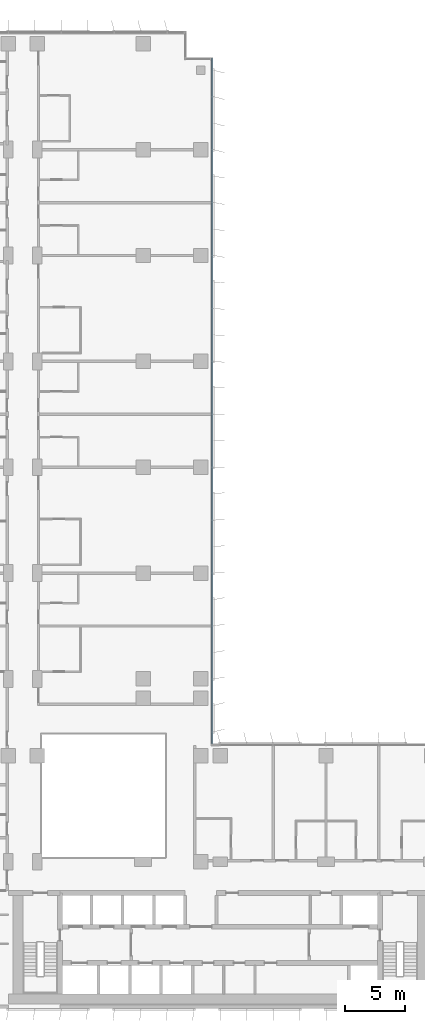
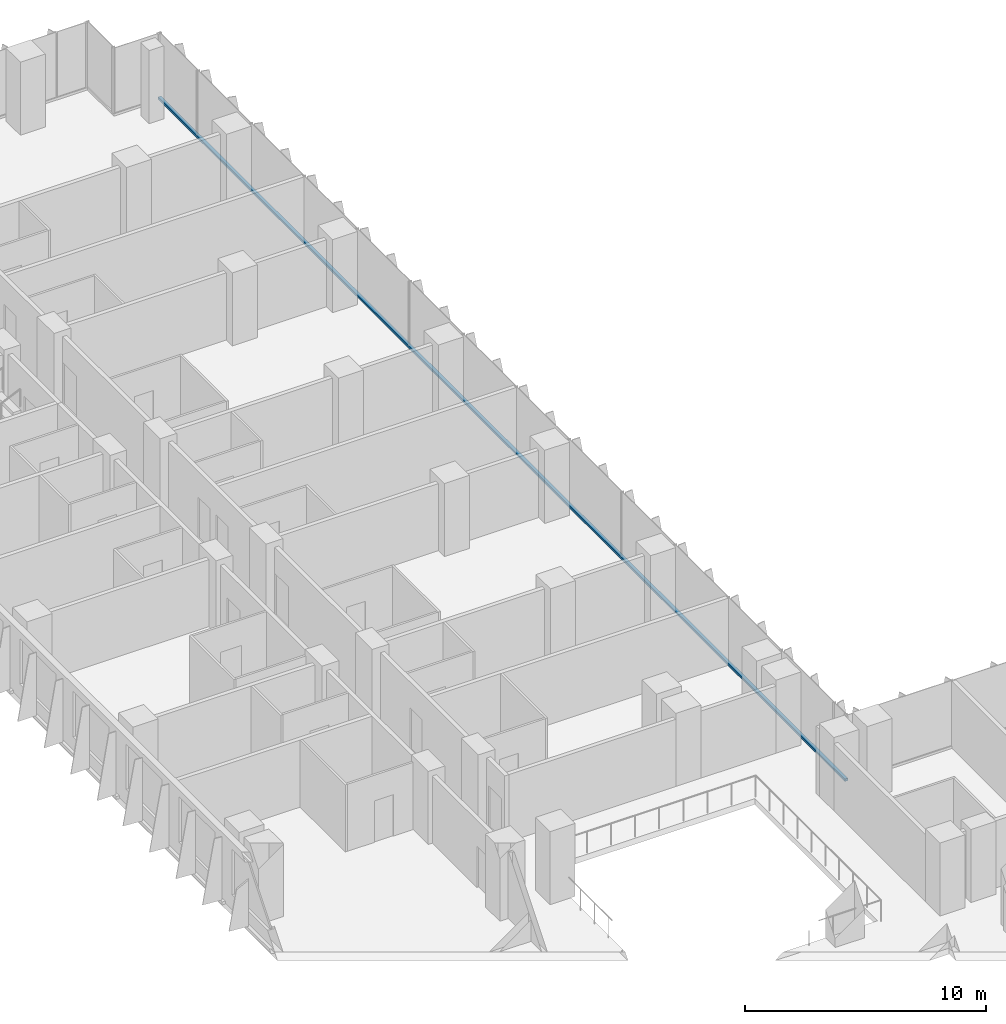
# One storey, part 6 of 23: 1 member, 1 element without a shape of its own.
"""IFC4 building model written with IfcOpenShell, lengths in metres."""

import ifcopenshell
import ifcopenshell.guid

model = None  # the IFC model being written
_history = None  # IfcOwnerHistory: only IFC2X3 demands one
_inside = {}  # id of a spatial element -> (the spatial element, [elements in it])
_under = {}  # id of a project, library or spatial element -> (it, [spatial elements below it])
_declared = {}  # id of a project -> (the project, [libraries it declares])
_typed = {}  # id of a type object -> (the type object, [elements of that type])
_made_of = {}  # id of a material, layer set ... -> (it, [elements and type objects made of it])


def new_model(schema):
    """Start an empty IFC model of exactly this schema.

    Asked for "IFC4X3", IfcOpenShell would pick the latest addendum, in which some entities
    have other attributes; the version numbers below select the first issue.
    IFC2X3 requires an IfcOwnerHistory on every rooted entity: one is made here for all.
    """
    global model, _history
    if schema == "IFC4X3":
        model = ifcopenshell.file(schema_version=(4, 3, 0, 0))
    else:
        model = ifcopenshell.file(schema=schema)
    _inside.clear()
    _under.clear()
    _declared.clear()
    _typed.clear()
    _made_of.clear()
    _history = None
    if model.schema == "IFC2X3":
        org = make("IfcOrganization", Name="unknown")
        user = make(
            "IfcPersonAndOrganization",
            ThePerson=make("IfcPerson", FamilyName="unknown"),
            TheOrganization=org,
        )
        app = make(
            "IfcApplication",
            ApplicationDeveloper=org,
            Version="unknown",
            ApplicationFullName="unknown",
            ApplicationIdentifier="unknown",
        )
        _history = make(
            "IfcOwnerHistory",
            OwningUser=user,
            OwningApplication=app,
            ChangeAction="ADDED",
            CreationDate=0,
        )
    return model


def make(cls, **values):
    """One entity of the class cls with the attributes given. An attribute that is None is left unset."""
    return model.create_entity(
        cls, **{name: value for name, value in values.items() if value is not None}
    )


def rooted(cls, **values):
    """An entity with a GlobalId (a new one), such as an element, a storey or a relation."""
    return make(cls, GlobalId=ifcopenshell.guid.new(), OwnerHistory=_history, **values)


def si_unit(unit_type, name, prefix=None):
    """IfcSIUnit, for example si_unit("LENGTHUNIT", "METRE", prefix="MILLI")."""
    return make("IfcSIUnit", UnitType=unit_type, Prefix=prefix, Name=name)


def assignment(units):
    """IfcUnitAssignment: the units of a project."""
    return None if units is None else make("IfcUnitAssignment", Units=units)


def point(xyz):
    """IfcCartesianPoint."""
    return None if xyz is None else make("IfcCartesianPoint", Coordinates=xyz)


def direction(xyz):
    """IfcDirection."""
    return None if xyz is None else make("IfcDirection", DirectionRatios=xyz)


def frame(location, z_axis=None, x_axis=None):
    """IfcAxis2Placement3D, a coordinate frame: its origin and axes. An axis left out is left unset."""
    return make(
        "IfcAxis2Placement3D",
        Location=point(location),
        Axis=direction(z_axis),
        RefDirection=direction(x_axis),
    )


def frame_2d(location, x_axis=None):
    """IfcAxis2Placement2D, a coordinate frame in the plane: its origin and x axis."""
    return make(
        "IfcAxis2Placement2D", Location=point(location), RefDirection=direction(x_axis)
    )


def origin():
    """The frame at (0, 0, 0) with its axes left unset."""
    return frame((0.0, 0.0, 0.0))


def origin_2d():
    """The frame at (0, 0) in the plane with its x axis left unset."""
    return frame_2d((0.0, 0.0))


def place(relative_to, where):
    """IfcLocalPlacement: puts the frame where relative to a parent placement (None: the world)."""
    return make(
        "IfcLocalPlacement", PlacementRelTo=relative_to, RelativePlacement=where
    )


def context(
    kind, dimensions, precision=None, world=None, true_north=None, identifier=None
):
    """IfcGeometricRepresentationContext, for example the 3D "Model" context."""
    return make(
        "IfcGeometricRepresentationContext",
        ContextIdentifier=identifier,
        ContextType=kind,
        CoordinateSpaceDimension=dimensions,
        Precision=precision,
        WorldCoordinateSystem=world,
        TrueNorth=true_north,
    )


def subcontext(parent, identifier, kind, view, scale=None):
    """IfcGeometricRepresentationSubContext, for example "Body" below "Model"."""
    return make(
        "IfcGeometricRepresentationSubContext",
        ContextIdentifier=identifier,
        ContextType=kind,
        ParentContext=parent,
        TargetScale=scale,
        TargetView=view,
    )


def project(units=None, contexts=None):
    """IfcProject with its units and contexts."""
    return rooted(
        "IfcProject",
        Name="project",
        RepresentationContexts=contexts,
        UnitsInContext=assignment(units),
    )


def spatial(cls, under=None, at=None, **own):
    """A site, building, storey or space (cls), placed at a placement, below another one or the project."""
    s = rooted(cls, ObjectPlacement=at, **own)
    if under is not None:
        _under.setdefault(under.id(), (under, []))[1].append(s)
    return s


def profile(cls, at=None, kind="AREA", **sizes):
    """A parametric profile (cls). Its sizes go by their IFC names, for example OverallWidth=200.0."""
    return make(cls, ProfileType=kind, Position=at, **sizes)


def rectangle(**sizes):
    """IfcRectangleProfileDef."""
    return profile("IfcRectangleProfileDef", **sizes)


def extrude(swept, where, along, depth):
    """IfcExtrudedAreaSolid: the profile swept, set in the frame where, extruded along a direction by depth."""
    return make(
        "IfcExtrudedAreaSolid",
        SweptArea=swept,
        Position=where,
        ExtrudedDirection=direction(along),
        Depth=depth,
    )


def shape(context_of_items, identifier, shape_type, items):
    """IfcShapeRepresentation: the items that make up one representation, for example the "Body"."""
    return make(
        "IfcShapeRepresentation",
        ContextOfItems=context_of_items,
        RepresentationIdentifier=identifier,
        RepresentationType=shape_type,
        Items=items,
    )


def material(Name=None, Category=None):
    """IfcMaterial."""
    return make("IfcMaterial", Name=Name, Category=Category)


def material_profile(
    of_material, cross_section, Name=None, Category=None, Priority=None
):
    """IfcMaterialProfile: a cross section and its material."""
    return make(
        "IfcMaterialProfile",
        Name=Name,
        Material=of_material,
        Profile=cross_section,
        Priority=Priority,
        Category=Category,
    )


def profile_set(profiles, Name=None, composite=None):
    """IfcMaterialProfileSet."""
    return make(
        "IfcMaterialProfileSet",
        Name=Name,
        MaterialProfiles=profiles,
        CompositeProfile=composite,
    )


def made_of(thing, what):
    """Note that an element or type object is made of a material, layer set ...; save() writes the relation."""
    if what is not None:
        _made_of.setdefault(what.id(), (what, []))[1].append(thing)
    return thing


def type_object(cls, material=None, **own):
    """A type object (cls), such as IfcWallType, which elements share."""
    return made_of(rooted(cls, **own), material)


def element(
    cls,
    number,
    at=None,
    inside=None,
    cuts=None,
    type_object=None,
    material=None,
    context=None,
    identifier="Body",
    shape_type=None,
    held_by="IfcProductDefinitionShape",
    body=None,
    shapes=None,
    **own,
):
    """One element of the class cls, such as IfcWall. Its Tag is "e" and its number.

    at: its placement. inside: the storey or other place that contains it. cuts: it is an
    opening in that element (IfcRelVoidsElement). A single representation is given by context,
    identifier, shape_type and body (its items); several are given by shapes. held_by: the class
    of the entity that holds the representations. save() writes the other relations.
    """
    e = rooted(cls, Tag="e%d" % number, ObjectPlacement=at, **own)
    if body is not None:
        shapes = [shape(context, identifier, shape_type, body)]
    if shapes is not None:
        e.Representation = make(held_by, Representations=shapes)
    if inside is not None:
        _inside.setdefault(inside.id(), (inside, []))[1].append(e)
    if cuts is not None:
        rooted(
            "IfcRelVoidsElement", RelatingBuildingElement=cuts, RelatedOpeningElement=e
        )
    if type_object is not None:
        _typed.setdefault(type_object.id(), (type_object, []))[1].append(e)
    return made_of(e, material)


def aggregate(whole, parts):
    """IfcRelAggregates: a whole, such as a stair, and the parts it consists of."""
    return rooted("IfcRelAggregates", RelatingObject=whole, RelatedObjects=parts)


def save(model, path):
    """Write the relations noted so far, then the file.

    IfcRelAggregates (storeys below a building ...), IfcRelContainedInSpatialStructure (elements
    in a storey), IfcRelDefinesByType, IfcRelAssociatesMaterial and IfcRelDeclares: one each for
    every whole, place, type object, material and project.
    """
    for whole, parts in _under.values():
        aggregate(whole, parts)
    for where, things in _inside.values():
        rooted(
            "IfcRelContainedInSpatialStructure",
            RelatedElements=things,
            RelatingStructure=where,
        )
    for kind, things in _typed.values():
        rooted("IfcRelDefinesByType", RelatedObjects=things, RelatingType=kind)
    for what, things in _made_of.values():
        rooted("IfcRelAssociatesMaterial", RelatedObjects=things, RelatingMaterial=what)
    for by, libraries in _declared.values():
        rooted("IfcRelDeclares", RelatingContext=by, RelatedDefinitions=libraries)
    model.write(path)


model = new_model("IFC4")

# Units and contexts
model_context = context("Model", 3, precision=1e-05, world=origin(), true_north=direction((0.0, 1.0)))
body_context = subcontext(model_context, "Body", "Model", "MODEL_VIEW")
ifc_project = project(units=[si_unit("LENGTHUNIT", "METRE"), si_unit("AREAUNIT", "SQUARE_METRE"), si_unit("VOLUMEUNIT", "CUBIC_METRE"), si_unit("PLANEANGLEUNIT", "RADIAN"), si_unit("MASSUNIT", "GRAM", prefix="KILO")], contexts=[model_context])

# Site, building, storey
site_placement = place(None, origin())
site = spatial("IfcSite", under=ifc_project, at=site_placement, CompositionType="ELEMENT")
building_placement = place(site_placement, origin())
building = spatial("IfcBuilding", under=site, at=building_placement, Name="Kemantara Hotel Tower", CompositionType="ELEMENT")
storey_placement = place(building_placement, frame((0.0, 0.0, 118.5)))
storey = spatial("IfcBuildingStorey", under=building, at=storey_placement, Name="L28", CompositionType="ELEMENT", Elevation=118.5)

# Curtain wall, member
ifc_material_1 = material(Name="Low-E tinted double insulated glass 36 mm", Category="glass")
curtain_wall_type = type_object("IfcCurtainWallType", Name="TOWER CURTAIN WALL, FRONT FACES", PredefinedType="USERDEFINED", material=ifc_material_1)
curtain_wall_placement = place(storey_placement, origin())
curtain_wall = element("IfcCurtainWall", 1, at=curtain_wall_placement, inside=storey, type_object=curtain_wall_type, Name="CW4 L28 T2-R14-1", ObjectType="TOWER CURTAIN WALL, FRONT FACES", PredefinedType="USERDEFINED")
ifc_material_2 = material(Name="Aluminium 6063-T6 bronze anodised", Category="aluminium")
ifc_material_profile = material_profile(ifc_material_2, rectangle(XDim=0.14990234375, YDim=0.1201171875, at=origin_2d()), Name="TOWER CURTAIN WALL, FRONT FACES TRANSOM")
ifc_profile_set = profile_set([ifc_material_profile], Name="Aluminium 6063-T6 bronze anodised")
member_type = type_object("IfcMemberType", Name="TOWER CURTAIN WALL, FRONT FACES TRANSOM", PredefinedType="USERDEFINED", material=ifc_profile_set)
member_placement = place(storey_placement, frame((26.72509765625, 22.0, 0.06005859375), z_axis=(0.0, 1.0, 0.0), x_axis=(-1.0, 0.0, 0.0)))
member = element("IfcMember", 2, at=member_placement, type_object=member_type, Name="CW4 sill transom T2-R14-1", ObjectType="TRANSOM", PredefinedType="USERDEFINED", context=body_context, shape_type="SweptSolid", body=[
    extrude(rectangle(XDim=0.14990234375, YDim=0.1201171875, at=origin_2d()), origin(), (0.0, 0.0, 1.0), 57.0),
])
aggregate(curtain_wall, [member])

save(model, "model.ifc")
